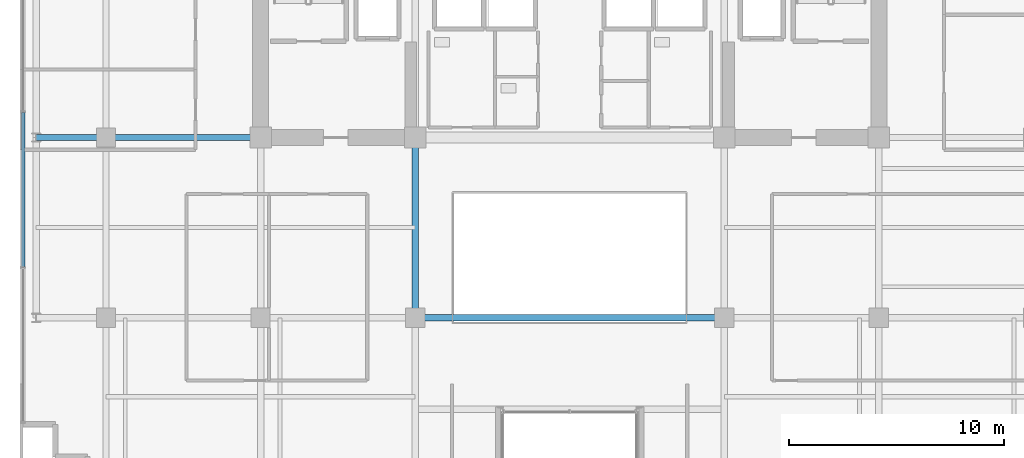
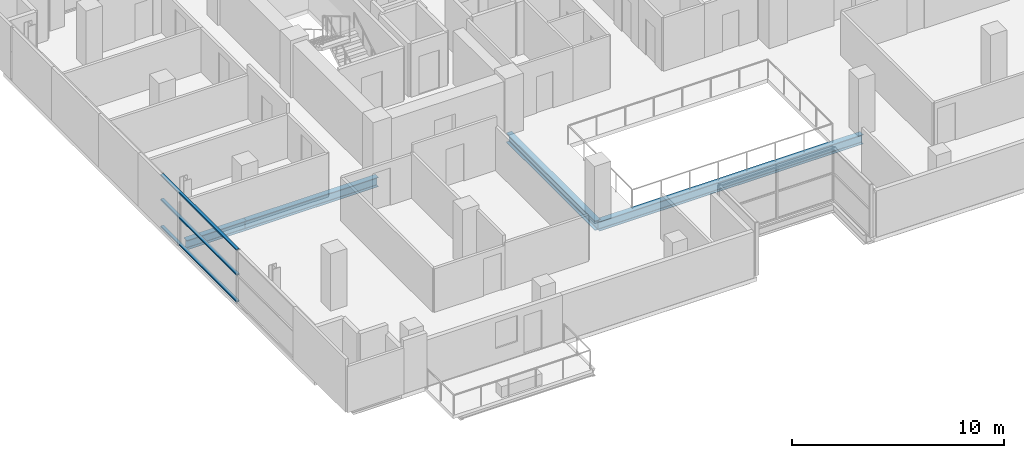
# One storey, part 8 of 24: 4 beams, 3 members, 1 element without a shape of its own.
"""IFC4 building model written with IfcOpenShell, lengths in metres."""

from ifc_helpers import new_model, si_unit, direction, frame, origin, origin_2d, place, context, subcontext, project, spatial, hollow_rectangle, i_section, extrude, source, transform, mapped, material, layer, layer_set, material_profile, profile_set, type_object, element, aggregate, save


model = new_model("IFC4")

# Units and contexts
model_context = context("Model", 3, precision=1e-05, world=origin(), true_north=direction((0.0, 1.0)))
body_context = subcontext(model_context, "Body", "Model", "MODEL_VIEW")
ifc_project = project(units=[si_unit("LENGTHUNIT", "METRE"), si_unit("AREAUNIT", "SQUARE_METRE"), si_unit("VOLUMEUNIT", "CUBIC_METRE"), si_unit("PLANEANGLEUNIT", "RADIAN"), si_unit("MASSUNIT", "GRAM", prefix="KILO")], contexts=[model_context])

# Site, building, storey
site_placement = place(None, origin())
site = spatial("IfcSite", under=ifc_project, at=site_placement, CompositionType="ELEMENT")
building_placement = place(site_placement, origin())
building = spatial("IfcBuilding", under=site, at=building_placement, Name="Zarnakvel Exchange Tower", CompositionType="ELEMENT")
storey_placement = place(building_placement, frame((0.0, 0.0, 119.800048828125)))
storey = spatial("IfcBuildingStorey", under=building, at=storey_placement, Name="L33", CompositionType="ELEMENT", Elevation=119.800048828125)

# Beams
ifc_material_1 = material(Name="Steel S355", Category="steel")
ifc_material_profile_1 = material_profile(ifc_material_1, i_section(OverallWidth=0.300048828125, OverallDepth=0.550048828125, WebThickness=0.014892578125, FlangeThickness=0.029052734375, FilletRadius=0.027099609375, at=origin_2d()))
ifc_profile_set_1 = profile_set([ifc_material_profile_1], Name="Steel S355")
beam_type = type_object("IfcBeamType", Name="G-05", PredefinedType="BEAM", material=ifc_profile_set_1)
beam_1_placement = place(storey_placement, frame((-7.199951171875, -9.60009765625, -0.5), z_axis=(1.0, 0.0, 0.0), x_axis=(0.0, 1.0, 0.0)))
element("IfcBeam", 1, at=beam_1_placement, inside=storey, type_object=beam_type, Name="L33 Tower E-W Frame Beam", PredefinedType="BEAM", context=body_context, shape_type="SweptSolid", body=[
    extrude(i_section(OverallWidth=0.300048828125, OverallDepth=0.550048828125, WebThickness=0.014892578125, FlangeThickness=0.029052734375, FilletRadius=0.027099609375, at=origin_2d()), origin(), (0.0, 0.0, 1.0), 14.39990234375),
])
beam_2_placement = place(storey_placement, frame((-24.85009765625, -1.199951171875, -0.5), z_axis=(1.0, 0.0, 0.0), x_axis=(0.0, 1.0, 0.0)))
element("IfcBeam", 2, at=beam_2_placement, inside=storey, type_object=beam_type, Name="L33 Tower E-W Frame Beam", PredefinedType="BEAM", context=body_context, shape_type="SweptSolid", body=[
    extrude(i_section(OverallWidth=0.300048828125, OverallDepth=0.550048828125, WebThickness=0.014892578125, FlangeThickness=0.029052734375, FilletRadius=0.027099609375, at=origin_2d()), origin(), (0.0, 0.0, 1.0), 3.25),
])
beam_3_placement = place(storey_placement, frame((-21.60009765625, -1.199951171875, -0.5), z_axis=(1.0, 0.0, 0.0), x_axis=(0.0, 1.0, 0.0)))
element("IfcBeam", 3, at=beam_3_placement, inside=storey, type_object=beam_type, Name="L33 Tower E-W Frame Beam", PredefinedType="BEAM", context=body_context, shape_type="SweptSolid", body=[
    extrude(i_section(OverallWidth=0.300048828125, OverallDepth=0.550048828125, WebThickness=0.014892578125, FlangeThickness=0.029052734375, FilletRadius=0.027099609375, at=origin_2d()), origin(), (0.0, 0.0, 1.0), 7.2001953125),
])
beam_4_placement = place(storey_placement, frame((-7.199951171875, -9.60009765625, -0.5), z_axis=(0.0, 1.0, 0.0), x_axis=(-1.0, 0.0, 0.0)))
element("IfcBeam", 4, at=beam_4_placement, inside=storey, type_object=beam_type, Name="L33 Tower N-S Frame Beam", PredefinedType="BEAM", context=body_context, shape_type="SweptSolid", body=[
    extrude(i_section(OverallWidth=0.300048828125, OverallDepth=0.550048828125, WebThickness=0.014892578125, FlangeThickness=0.029052734375, FilletRadius=0.027099609375, at=origin_2d()), origin(), (0.0, 0.0, 1.0), 8.400146484375),
])

# Curtain wall, members
ifc_material_2 = material(Name="Architectural Bronze Anodised Aluminium", Category="aluminium")
ifc_layer = layer(ifc_material_2, 0.199951171875)
ifc_layer_set = layer_set([ifc_layer], Name="Architectural Bronze Anodised Aluminium")
curtain_wall_type = type_object("IfcCurtainWallType", Name="CW-04", PredefinedType="NOTDEFINED", material=ifc_layer_set)
curtain_wall_placement = place(storey_placement, origin())
curtain_wall = element("IfcCurtainWall", 5, at=curtain_wall_placement, inside=storey, type_object=curtain_wall_type, Name="L33 Curtain Wall CW-L33-W1 (CW-04)", PredefinedType="NOTDEFINED")
ifc_material_profile_2 = material_profile(ifc_material_2, hollow_rectangle(XDim=0.159912109375, YDim=0.074951171875, WallThickness=0.00390625, at=origin_2d()))
ifc_profile_set_2 = profile_set([ifc_material_profile_2], Name="Architectural Bronze Anodised Aluminium")
member_type = type_object("IfcMemberType", Name="CWT-04", PredefinedType="USERDEFINED", material=ifc_profile_set_2)
shared_shape = source(origin(), body_context, "Body", "SweptSolid", [
    extrude(hollow_rectangle(XDim=0.159912109375, YDim=0.074951171875, WallThickness=0.00390625, at=origin_2d()), origin(), (0.0, 0.0, 1.0), 7.1748046875),
])
member_1_placement = place(storey_placement, frame((-25.4599609375, -7.21240234375, 0.037353515625), z_axis=(0.0, 1.0, 0.0), x_axis=(-1.0, 0.0, 0.0)))
member_1 = element("IfcMember", 6, at=member_1_placement, type_object=member_type, Name="CW-04 transom 2.1", ObjectType="TRANSOM", PredefinedType="USERDEFINED", context=body_context, shape_type="MappedRepresentation", body=[
    mapped(shared_shape, transform((0.0, 0.0, 0.0), x_axis=(1.0, 0.0, 0.0), y_axis=(0.0, 1.0, 0.0), z_axis=(0.0, 0.0, 1.0), scale=1.0)),
])
member_2_placement = place(storey_placement, frame((-25.4599609375, -7.21240234375, 1.588623046875), z_axis=(0.0, 1.0, 0.0), x_axis=(-1.0, 0.0, 0.0)))
member_2 = element("IfcMember", 7, at=member_2_placement, type_object=member_type, Name="CW-04 transom 2.2", ObjectType="TRANSOM", PredefinedType="USERDEFINED", context=body_context, shape_type="MappedRepresentation", body=[
    mapped(shared_shape, transform((0.0, 0.0, 0.0), x_axis=(1.0, 0.0, 0.0), y_axis=(0.0, 1.0, 0.0), z_axis=(0.0, 0.0, 1.0), scale=1.0)),
])
member_3_placement = place(storey_placement, frame((-25.4599609375, -7.21240234375, 3.017333984375), z_axis=(0.0, 1.0, 0.0), x_axis=(-1.0, 0.0, 0.0)))
member_3 = element("IfcMember", 8, at=member_3_placement, type_object=member_type, Name="CW-04 transom 2.3", ObjectType="TRANSOM", PredefinedType="USERDEFINED", context=body_context, shape_type="MappedRepresentation", body=[
    mapped(shared_shape, transform((0.0, 0.0, 0.0), x_axis=(1.0, 0.0, 0.0), y_axis=(0.0, 1.0, 0.0), z_axis=(0.0, 0.0, 1.0), scale=1.0)),
])
aggregate(curtain_wall, [member_1, member_2, member_3])

save(model, "model.ifc")
